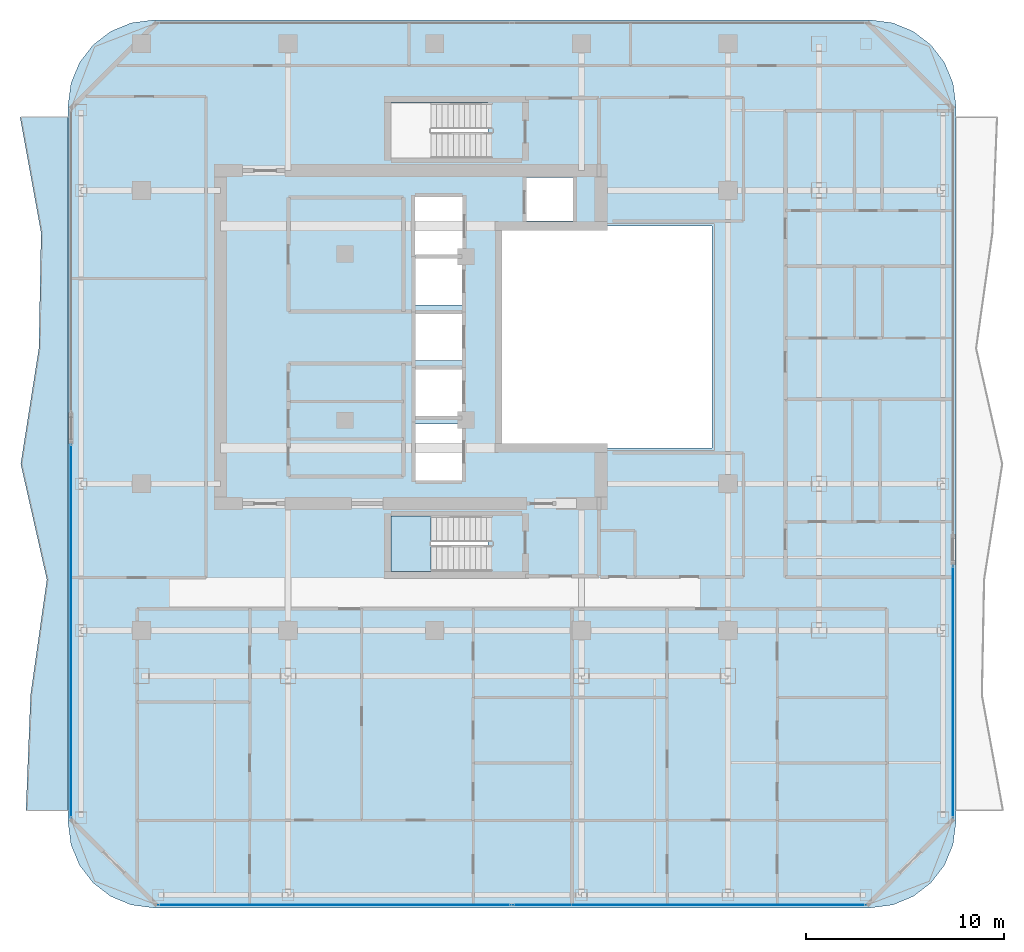
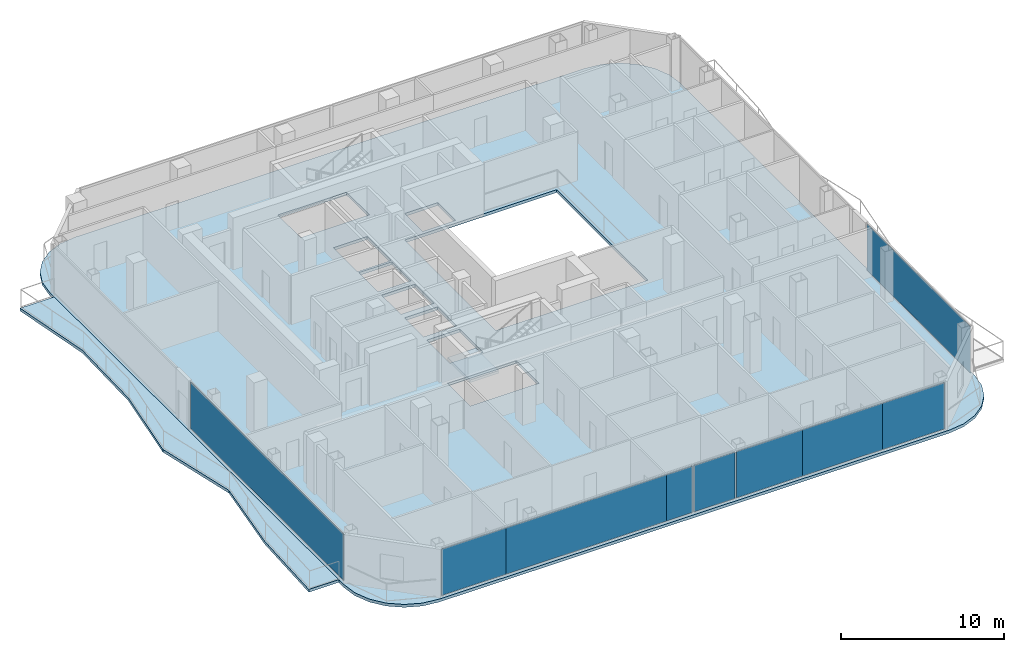
# One storey, part 18 of 27: 9 plates, 3 slabs, 4 elements without a shape of their own.
"""IFC4 building model written with IfcOpenShell, lengths in metres."""

from ifc_helpers import new_model, si_unit, direction, frame, origin, origin_2d, place, context, subcontext, project, spatial, polyline, rectangle, outline, extrude, material, layer, layer_set, type_object, element, aggregate, save


model = new_model("IFC4")

# Units and contexts
model_context = context("Model", 3, precision=1e-05, world=origin(), true_north=direction((0.0, 1.0)))
body_context = subcontext(model_context, "Body", "Model", "MODEL_VIEW")
ifc_project = project(units=[si_unit("LENGTHUNIT", "METRE"), si_unit("AREAUNIT", "SQUARE_METRE"), si_unit("VOLUMEUNIT", "CUBIC_METRE"), si_unit("PLANEANGLEUNIT", "RADIAN"), si_unit("MASSUNIT", "GRAM", prefix="KILO")], contexts=[model_context])

# Site, building, storey
site_placement = place(None, origin())
site = spatial("IfcSite", under=ifc_project, at=site_placement, CompositionType="ELEMENT")
building_placement = place(site_placement, origin())
building = spatial("IfcBuilding", under=site, at=building_placement, Name="Khorvyn Point Tower", CompositionType="ELEMENT")
storey_placement = place(building_placement, frame((0.0, 0.0, 243.0)))
storey = spatial("IfcBuildingStorey", under=building, at=storey_placement, Name="L59", CompositionType="ELEMENT", Elevation=243.0)

# Slabs
ifc_material_1 = material(Name="Concrete C35/45", Category="concrete")
ifc_layer_1 = layer(ifc_material_1, 0.219970703125)
ifc_layer_set_1 = layer_set([ifc_layer_1], Name="Concrete C35/45 Structural Floor Slab 220")
slab_type_1 = type_object("IfcSlabType", Name="Concrete C35/45 Structural Floor Slab 220", PredefinedType="FLOOR", material=ifc_layer_set_1)
slab_1_placement = place(storey_placement, frame((0.0, 0.0, -0.219970703125)))
element("IfcSlab", 1, at=slab_1_placement, inside=storey, type_object=slab_type_1, Name="L59 Main Structural Floor Slab", PredefinedType="FLOOR", context=body_context, shape_type="SweptSolid", body=[
    extrude(outline(polyline([(-14.199951171875, -28.800048828125), (-15.31298828125, -28.653564453125), (-16.35009765625, -28.223876953125), (-17.240478515625, -27.54052734375), (-17.923828125, -26.64990234375), (-18.353515625, -25.61279296875), (-18.5, -24.5), (-18.5, 11.699951171875), (-18.353515625, 12.81298828125), (-17.923828125, 13.85009765625), (-17.240478515625, 14.740478515625), (-16.35009765625, 15.423828125), (-15.31298828125, 15.853515625), (-14.199951171875, 16.0), (22.0, 16.0), (23.11279296875, 15.853515625), (24.14990234375, 15.423828125), (25.04052734375, 14.740478515625), (25.723876953125, 13.85009765625), (26.153564453125, 12.81298828125), (26.300048828125, 11.699951171875), (26.300048828125, -24.5), (26.153564453125, -25.61279296875), (25.723876953125, -26.64990234375), (25.04052734375, -27.54052734375), (24.14990234375, -28.223876953125), (23.11279296875, -28.653564453125), (22.0, -28.800048828125), (-14.199951171875, -28.800048828125)]), holes=[polyline([(2.679931640625, -11.820068359375), (2.679931640625, -9.02001953125), (-2.199951171875, -9.02001953125), (-2.199951171875, -11.820068359375), (2.679931640625, -11.820068359375)]), polyline([(1.375, -7.22509765625), (1.375, -4.375), (-0.97509765625, -4.375), (-0.97509765625, -7.22509765625), (1.375, -7.22509765625)]), polyline([(1.375, -3.97509765625), (1.375, -1.625), (-0.97509765625, -1.625), (-0.97509765625, -3.97509765625), (1.375, -3.97509765625)]), polyline([(1.375, -1.175048828125), (1.375, 1.175048828125), (-0.97509765625, 1.175048828125), (-0.97509765625, -1.175048828125), (1.375, -1.175048828125)]), polyline([(14.0, -5.60009765625), (14.0, 5.60009765625), (3.199951171875, 5.60009765625), (3.199951171875, -5.60009765625), (14.0, -5.60009765625)]), polyline([(1.375, 1.625), (1.375, 3.97509765625), (-0.97509765625, 3.97509765625), (-0.97509765625, 1.625), (1.375, 1.625)]), polyline([(1.39990234375, 4.125), (1.39990234375, 7.074951171875), (-1.0, 7.074951171875), (-1.0, 4.125), (1.39990234375, 4.125)]), polyline([(4.625, 5.85009765625), (6.97509765625, 5.85009765625), (6.97509765625, 8.054931640625), (4.625, 8.054931640625), (4.625, 5.85009765625)]), polyline([(-2.199951171875, 9.02001953125), (2.679931640625, 9.02001953125), (2.679931640625, 11.820068359375), (-2.199951171875, 11.820068359375), (-2.199951171875, 9.02001953125)])]), origin(), (0.0, 0.0, 1.0), 0.219970703125),
])
ifc_material_2 = material(Name="Concrete C40/50", Category="concrete")
ifc_layer_2 = layer(ifc_material_2, 0.2099609375)
ifc_layer_set_2 = layer_set([ifc_layer_2], Name="Concrete C40/50 Rippling Balcony Slab 210")
slab_type_2 = type_object("IfcSlabType", Name="Concrete C40/50 Rippling Balcony Slab 210", PredefinedType="USERDEFINED", material=ifc_layer_set_2)
slab_2_placement = place(storey_placement, frame((0.0, 0.0, -0.2099609375)))
element("IfcSlab", 2, at=slab_2_placement, inside=storey, type_object=slab_type_2, Name="L59 West Sinusoidal Rippling Balcony", ObjectType="BALCONY", PredefinedType="USERDEFINED", context=body_context, shape_type="SweptSolid", body=[
    extrude(outline(polyline([(-18.5, 11.10009765625), (-20.9267578125, 11.10009765625), (-19.86328125, 5.2666015625), (-19.9755859375, -0.566650390625), (-20.890869140625, -6.39990234375), (-19.571533203125, -12.2333984375), (-20.39599609375, -18.066650390625), (-20.628173828125, -23.89990234375), (-18.5, -23.89990234375), (-18.5, 11.10009765625)])), origin(), (0.0, 0.0, 1.0), 0.2099609375),
])

# Stair, slab
stair_type = type_object("IfcStairType", Name="Tower Concrete C40/50 Dogleg Exit Stair", PredefinedType="HALF_TURN_STAIR", material=ifc_material_2)
stair_placement = place(storey_placement, origin())
stair = element("IfcStair", 3, at=stair_placement, inside=storey, type_object=stair_type, Name="L59 Tower Smokeproof Exit Stair South", PredefinedType="HALF_TURN_STAIR")
ifc_layer_3 = layer(ifc_material_2, 0.199951171875)
ifc_layer_set_3 = layer_set([ifc_layer_3], Name="Concrete C40/50 Stair Landing Slab 200")
slab_type_3 = type_object("IfcSlabType", Name="Concrete C40/50 Stair Landing Slab 200", PredefinedType="LANDING", material=ifc_layer_set_3)
slab_3_placement = place(storey_placement, frame((0.0, 0.0, 1.75)))
slab_3 = element("IfcSlab", 4, at=slab_3_placement, type_object=slab_type_3, Name="ST-01 landing 1", PredefinedType="LANDING", context=body_context, shape_type="SweptSolid", body=[
    extrude(outline(polyline([(-0.179931640625, -9.02001953125), (-2.199951171875, -9.02001953125), (-2.199951171875, -11.820068359375), (-0.179931640625, -11.820068359375), (-0.179931640625, -9.02001953125)])), origin(), (0.0, 0.0, 1.0), 0.199951171875),
])
aggregate(stair, [slab_3])

# Curtain wall, plates
ifc_material_3 = material(Name="Anodised aluminium 6063-T6 and laminated Low-E glass", Category="aluminium")
ifc_layer_4 = layer(ifc_material_3, 0.18994140625)
ifc_layer_set_4 = layer_set([ifc_layer_4], Name="Stick-Built Acoustic Curtain Wall CW-SYS-03")
curtain_wall_type = type_object("IfcCurtainWallType", Name="Stick-Built Acoustic Curtain Wall CW-SYS-03", PredefinedType="NOTDEFINED", material=ifc_layer_set_4)
curtain_wall_1_placement = place(storey_placement, origin())
curtain_wall_1 = element("IfcCurtainWall", 5, at=curtain_wall_1_placement, inside=storey, type_object=curtain_wall_type, Name="Curtain Wall", PredefinedType="NOTDEFINED")
ifc_material_4 = material(Name="Laminated Low-E insulated glass", Category="glass")
ifc_layer_5 = layer(ifc_material_4, 0.028076171875)
ifc_layer_set_5 = layer_set([ifc_layer_5], Name="Tempered Low-E Vision Glazing Panel CW-GL28")
plate_type = type_object("IfcPlateType", Name="Tempered Low-E Vision Glazing Panel CW-GL28", PredefinedType="CURTAIN_PANEL", material=ifc_layer_set_5)
plate_1_placement = place(storey_placement, frame((5.408447265625, -28.64990234375, 0.10009765625), z_axis=(0.0, 0.0, 1.0), x_axis=(-1.0, 0.0, 0.0)))
plate_1 = element("IfcPlate", 6, at=plate_1_placement, type_object=plate_type, Name="Panel", PredefinedType="CURTAIN_PANEL", context=body_context, shape_type="SweptSolid", body=[
    extrude(rectangle(XDim=2.908935546875, YDim=0.028076171875, at=origin_2d()), origin(), (0.0, 0.0, 1.0), 3.47998046875),
])
plate_2_placement = place(storey_placement, frame((9.32861328125, -28.64990234375, 0.10009765625), z_axis=(0.0, 0.0, 1.0), x_axis=(-1.0, 0.0, 0.0)))
plate_2 = element("IfcPlate", 7, at=plate_2_placement, type_object=plate_type, Name="Panel", PredefinedType="CURTAIN_PANEL", context=body_context, shape_type="SweptSolid", body=[
    extrude(rectangle(XDim=4.675048828125, YDim=0.028076171875, at=origin_2d()), origin(), (0.0, 0.0, 1.0), 3.47998046875),
])
plate_3_placement = place(storey_placement, frame((14.511474609375, -28.64990234375, 0.10009765625), z_axis=(0.0, 0.0, 1.0), x_axis=(-1.0, 0.0, 0.0)))
plate_3 = element("IfcPlate", 8, at=plate_3_placement, type_object=plate_type, Name="Panel", PredefinedType="CURTAIN_PANEL", context=body_context, shape_type="SweptSolid", body=[
    extrude(rectangle(XDim=5.675048828125, YDim=0.028076171875, at=origin_2d()), origin(), (0.0, 0.0, 1.0), 3.47998046875),
])
plate_4_placement = place(storey_placement, frame((19.551513671875, -28.64990234375, 0.10009765625), z_axis=(0.0, 0.0, 1.0), x_axis=(-1.0, 0.0, 0.0)))
plate_4 = element("IfcPlate", 9, at=plate_4_placement, type_object=plate_type, Name="Panel", PredefinedType="CURTAIN_PANEL", context=body_context, shape_type="SweptSolid", body=[
    extrude(rectangle(XDim=4.388916015625, YDim=0.028076171875, at=origin_2d()), origin(), (0.0, 0.0, 1.0), 3.47998046875),
])
plate_5_placement = place(storey_placement, frame((-11.6669921875, -28.64990234375, 0.10009765625), z_axis=(0.0, 0.0, 1.0), x_axis=(-1.0, 0.0, 0.0)))
plate_5 = element("IfcPlate", 10, at=plate_5_placement, type_object=plate_type, Name="Panel", PredefinedType="CURTAIN_PANEL", context=body_context, shape_type="SweptSolid", body=[
    extrude(rectangle(XDim=4.55810546875, YDim=0.028076171875, at=origin_2d()), origin(), (0.0, 0.0, 1.0), 3.47998046875),
])
plate_6_placement = place(storey_placement, frame((-3.6904296875, -28.64990234375, 0.10009765625), z_axis=(0.0, 0.0, 1.0), x_axis=(-1.0, 0.0, 0.0)))
plate_6 = element("IfcPlate", 11, at=plate_6_placement, type_object=plate_type, Name="Panel", PredefinedType="CURTAIN_PANEL", context=body_context, shape_type="SweptSolid", body=[
    extrude(rectangle(XDim=11.37890625, YDim=0.028076171875, at=origin_2d()), origin(), (0.0, 0.0, 1.0), 3.47998046875),
])
plate_7_placement = place(storey_placement, frame((2.926513671875, -28.64990234375, 0.10009765625), z_axis=(0.0, 0.0, 1.0), x_axis=(-1.0, 0.0, 0.0)))
plate_7 = element("IfcPlate", 12, at=plate_7_placement, type_object=plate_type, Name="Panel", PredefinedType="CURTAIN_PANEL", context=body_context, shape_type="SweptSolid", body=[
    extrude(rectangle(XDim=1.839111328125, YDim=0.028076171875, at=origin_2d()), origin(), (0.0, 0.0, 1.0), 3.47998046875),
])
aggregate(curtain_wall_1, [plate_1, plate_2, plate_3, plate_4, plate_5, plate_6, plate_7])

# Curtain wall, plate
curtain_wall_2_placement = place(storey_placement, origin())
curtain_wall_2 = element("IfcCurtainWall", 13, at=curtain_wall_2_placement, inside=storey, type_object=curtain_wall_type, Name="Curtain Wall", PredefinedType="NOTDEFINED")
plate_8_placement = place(storey_placement, frame((-18.35009765625, -14.83740234375, 0.10009765625), z_axis=(0.0, 0.0, 1.0), x_axis=(0.0, 1.0, 0.0)))
plate_8 = element("IfcPlate", 14, at=plate_8_placement, type_object=plate_type, Name="Panel", PredefinedType="CURTAIN_PANEL", context=body_context, shape_type="SweptSolid", body=[
    extrude(rectangle(XDim=18.824951171875, YDim=0.028076171875, at=origin_2d()), origin(), (0.0, 0.0, 1.0), 3.47998046875),
])
aggregate(curtain_wall_2, [plate_8])

curtain_wall_3_placement = place(storey_placement, origin())
curtain_wall_3 = element("IfcCurtainWall", 15, at=curtain_wall_3_placement, inside=storey, type_object=curtain_wall_type, Name="Curtain Wall", PredefinedType="NOTDEFINED")
plate_9_placement = place(storey_placement, frame((26.14990234375, -17.89501953125, 0.10009765625), z_axis=(0.0, 0.0, 1.0), x_axis=(0.0, -1.0, 0.0)))
plate_9 = element("IfcPlate", 16, at=plate_9_placement, type_object=plate_type, Name="Panel", PredefinedType="CURTAIN_PANEL", context=body_context, shape_type="SweptSolid", body=[
    extrude(rectangle(XDim=12.7099609375, YDim=0.028076171875, at=origin_2d()), origin(), (0.0, 0.0, 1.0), 3.47998046875),
])
aggregate(curtain_wall_3, [plate_9])

save(model, "model.ifc")
